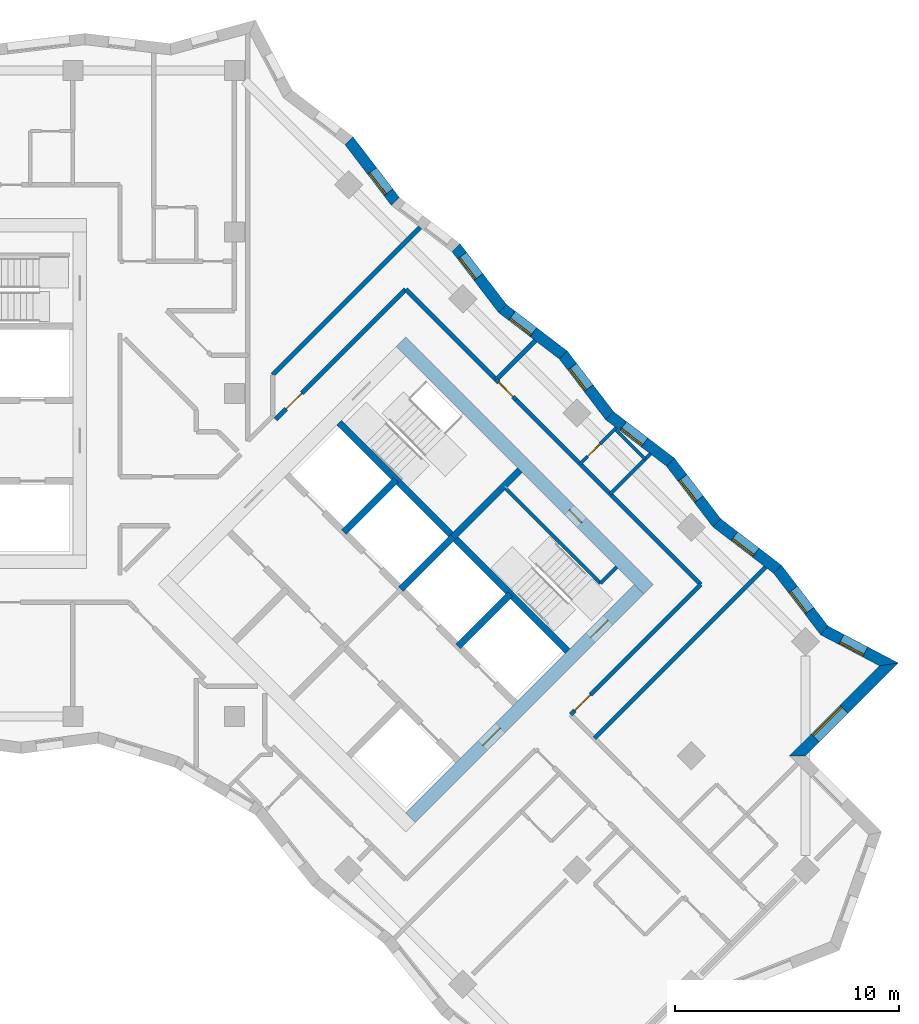
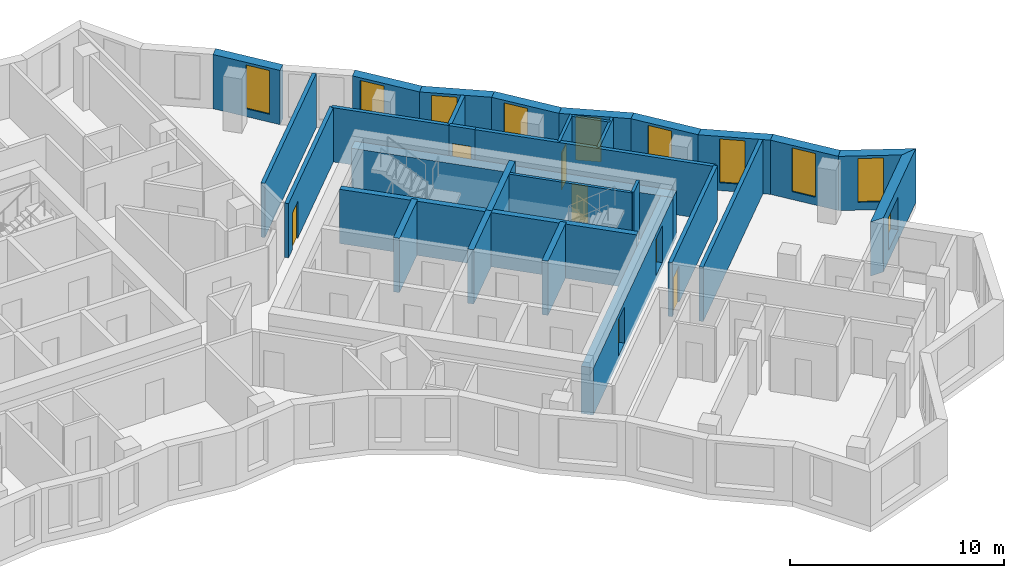
# One storey, part 9 of 12: 31 walls, 10 windows, 7 doors, 17 openings.
"""IFC4 building model written with IfcOpenShell, lengths in metres."""

import ifcopenshell
import ifcopenshell.guid

model = None  # the IFC model being written
_history = None  # IfcOwnerHistory: only IFC2X3 demands one
_inside = {}  # id of a spatial element -> (the spatial element, [elements in it])
_under = {}  # id of a project, library or spatial element -> (it, [spatial elements below it])
_declared = {}  # id of a project -> (the project, [libraries it declares])
_typed = {}  # id of a type object -> (the type object, [elements of that type])
_made_of = {}  # id of a material, layer set ... -> (it, [elements and type objects made of it])


def new_model(schema):
    """Start an empty IFC model of exactly this schema.

    Asked for "IFC4X3", IfcOpenShell would pick the latest addendum, in which some entities
    have other attributes; the version numbers below select the first issue.
    IFC2X3 requires an IfcOwnerHistory on every rooted entity: one is made here for all.
    """
    global model, _history
    if schema == "IFC4X3":
        model = ifcopenshell.file(schema_version=(4, 3, 0, 0))
    else:
        model = ifcopenshell.file(schema=schema)
    _inside.clear()
    _under.clear()
    _declared.clear()
    _typed.clear()
    _made_of.clear()
    _history = None
    if model.schema == "IFC2X3":
        org = make("IfcOrganization", Name="unknown")
        user = make(
            "IfcPersonAndOrganization",
            ThePerson=make("IfcPerson", FamilyName="unknown"),
            TheOrganization=org,
        )
        app = make(
            "IfcApplication",
            ApplicationDeveloper=org,
            Version="unknown",
            ApplicationFullName="unknown",
            ApplicationIdentifier="unknown",
        )
        _history = make(
            "IfcOwnerHistory",
            OwningUser=user,
            OwningApplication=app,
            ChangeAction="ADDED",
            CreationDate=0,
        )
    return model


def make(cls, **values):
    """One entity of the class cls with the attributes given. An attribute that is None is left unset."""
    return model.create_entity(
        cls, **{name: value for name, value in values.items() if value is not None}
    )


def rooted(cls, **values):
    """An entity with a GlobalId (a new one), such as an element, a storey or a relation."""
    return make(cls, GlobalId=ifcopenshell.guid.new(), OwnerHistory=_history, **values)


def si_unit(unit_type, name, prefix=None):
    """IfcSIUnit, for example si_unit("LENGTHUNIT", "METRE", prefix="MILLI")."""
    return make("IfcSIUnit", UnitType=unit_type, Prefix=prefix, Name=name)


def assignment(units):
    """IfcUnitAssignment: the units of a project."""
    return None if units is None else make("IfcUnitAssignment", Units=units)


def point(xyz):
    """IfcCartesianPoint."""
    return None if xyz is None else make("IfcCartesianPoint", Coordinates=xyz)


def direction(xyz):
    """IfcDirection."""
    return None if xyz is None else make("IfcDirection", DirectionRatios=xyz)


def frame(location, z_axis=None, x_axis=None):
    """IfcAxis2Placement3D, a coordinate frame: its origin and axes. An axis left out is left unset."""
    return make(
        "IfcAxis2Placement3D",
        Location=point(location),
        Axis=direction(z_axis),
        RefDirection=direction(x_axis),
    )


def frame_2d(location, x_axis=None):
    """IfcAxis2Placement2D, a coordinate frame in the plane: its origin and x axis."""
    return make(
        "IfcAxis2Placement2D", Location=point(location), RefDirection=direction(x_axis)
    )


def origin():
    """The frame at (0, 0, 0) with its axes left unset."""
    return frame((0.0, 0.0, 0.0))


def place(relative_to, where):
    """IfcLocalPlacement: puts the frame where relative to a parent placement (None: the world)."""
    return make(
        "IfcLocalPlacement", PlacementRelTo=relative_to, RelativePlacement=where
    )


def context(
    kind, dimensions, precision=None, world=None, true_north=None, identifier=None
):
    """IfcGeometricRepresentationContext, for example the 3D "Model" context."""
    return make(
        "IfcGeometricRepresentationContext",
        ContextIdentifier=identifier,
        ContextType=kind,
        CoordinateSpaceDimension=dimensions,
        Precision=precision,
        WorldCoordinateSystem=world,
        TrueNorth=true_north,
    )


def subcontext(parent, identifier, kind, view, scale=None):
    """IfcGeometricRepresentationSubContext, for example "Body" below "Model"."""
    return make(
        "IfcGeometricRepresentationSubContext",
        ContextIdentifier=identifier,
        ContextType=kind,
        ParentContext=parent,
        TargetScale=scale,
        TargetView=view,
    )


def project(units=None, contexts=None):
    """IfcProject with its units and contexts."""
    return rooted(
        "IfcProject",
        Name="project",
        RepresentationContexts=contexts,
        UnitsInContext=assignment(units),
    )


def spatial(cls, under=None, at=None, **own):
    """A site, building, storey or space (cls), placed at a placement, below another one or the project."""
    s = rooted(cls, ObjectPlacement=at, **own)
    if under is not None:
        _under.setdefault(under.id(), (under, []))[1].append(s)
    return s


def polyline(points):
    """IfcPolyline through the points."""
    return make("IfcPolyline", Points=[point(p) for p in points])


def profile(cls, at=None, kind="AREA", **sizes):
    """A parametric profile (cls). Its sizes go by their IFC names, for example OverallWidth=200.0."""
    return make(cls, ProfileType=kind, Position=at, **sizes)


def rectangle(**sizes):
    """IfcRectangleProfileDef."""
    return profile("IfcRectangleProfileDef", **sizes)


def outline(outer, holes=None, kind="AREA"):
    """IfcArbitraryClosedProfileDef: a profile drawn as a closed curve; with holes, ...WithVoids."""
    if holes is None:
        return make("IfcArbitraryClosedProfileDef", ProfileType=kind, OuterCurve=outer)
    return make(
        "IfcArbitraryProfileDefWithVoids",
        ProfileType=kind,
        OuterCurve=outer,
        InnerCurves=holes,
    )


def extrude(swept, where, along, depth):
    """IfcExtrudedAreaSolid: the profile swept, set in the frame where, extruded along a direction by depth."""
    return make(
        "IfcExtrudedAreaSolid",
        SweptArea=swept,
        Position=where,
        ExtrudedDirection=direction(along),
        Depth=depth,
    )


def shape(context_of_items, identifier, shape_type, items):
    """IfcShapeRepresentation: the items that make up one representation, for example the "Body"."""
    return make(
        "IfcShapeRepresentation",
        ContextOfItems=context_of_items,
        RepresentationIdentifier=identifier,
        RepresentationType=shape_type,
        Items=items,
    )


def material(Name=None, Category=None):
    """IfcMaterial."""
    return make("IfcMaterial", Name=Name, Category=Category)


def layer(
    of_material, thickness, ventilated=None, Name=None, Category=None, Priority=None
):
    """IfcMaterialLayer: one layer of a wall or slab, of a material (None: an air gap)."""
    return make(
        "IfcMaterialLayer",
        Material=of_material,
        LayerThickness=thickness,
        IsVentilated=ventilated,
        Name=Name,
        Category=Category,
        Priority=Priority,
    )


def layer_set(layers, Name=None):
    """IfcMaterialLayerSet."""
    return make("IfcMaterialLayerSet", MaterialLayers=layers, LayerSetName=Name)


def made_of(thing, what):
    """Note that an element or type object is made of a material, layer set ...; save() writes the relation."""
    if what is not None:
        _made_of.setdefault(what.id(), (what, []))[1].append(thing)
    return thing


def type_object(cls, material=None, **own):
    """A type object (cls), such as IfcWallType, which elements share."""
    return made_of(rooted(cls, **own), material)


def element(
    cls,
    number,
    at=None,
    inside=None,
    cuts=None,
    type_object=None,
    material=None,
    context=None,
    identifier="Body",
    shape_type=None,
    held_by="IfcProductDefinitionShape",
    body=None,
    shapes=None,
    **own,
):
    """One element of the class cls, such as IfcWall. Its Tag is "e" and its number.

    at: its placement. inside: the storey or other place that contains it. cuts: it is an
    opening in that element (IfcRelVoidsElement). A single representation is given by context,
    identifier, shape_type and body (its items); several are given by shapes. held_by: the class
    of the entity that holds the representations. save() writes the other relations.
    """
    e = rooted(cls, Tag="e%d" % number, ObjectPlacement=at, **own)
    if body is not None:
        shapes = [shape(context, identifier, shape_type, body)]
    if shapes is not None:
        e.Representation = make(held_by, Representations=shapes)
    if inside is not None:
        _inside.setdefault(inside.id(), (inside, []))[1].append(e)
    if cuts is not None:
        rooted(
            "IfcRelVoidsElement", RelatingBuildingElement=cuts, RelatedOpeningElement=e
        )
    if type_object is not None:
        _typed.setdefault(type_object.id(), (type_object, []))[1].append(e)
    return made_of(e, material)


def fill(opening, filler):
    """IfcRelFillsElement: the door or window that sits in an opening."""
    return rooted(
        "IfcRelFillsElement",
        RelatingOpeningElement=opening,
        RelatedBuildingElement=filler,
    )


def aggregate(whole, parts):
    """IfcRelAggregates: a whole, such as a stair, and the parts it consists of."""
    return rooted("IfcRelAggregates", RelatingObject=whole, RelatedObjects=parts)


def save(model, path):
    """Write the relations noted so far, then the file.

    IfcRelAggregates (storeys below a building ...), IfcRelContainedInSpatialStructure (elements
    in a storey), IfcRelDefinesByType, IfcRelAssociatesMaterial and IfcRelDeclares: one each for
    every whole, place, type object, material and project.
    """
    for whole, parts in _under.values():
        aggregate(whole, parts)
    for where, things in _inside.values():
        rooted(
            "IfcRelContainedInSpatialStructure",
            RelatedElements=things,
            RelatingStructure=where,
        )
    for kind, things in _typed.values():
        rooted("IfcRelDefinesByType", RelatedObjects=things, RelatingType=kind)
    for what, things in _made_of.values():
        rooted("IfcRelAssociatesMaterial", RelatedObjects=things, RelatingMaterial=what)
    for by, libraries in _declared.values():
        rooted("IfcRelDeclares", RelatingContext=by, RelatedDefinitions=libraries)
    model.write(path)


model = new_model("IFC4")

# Units and contexts
model_context = context("Model", 3, precision=1e-05, world=origin(), true_north=direction((0.0, 1.0)))
body_context = subcontext(model_context, "Body", "Model", "MODEL_VIEW")
ifc_project = project(units=[si_unit("LENGTHUNIT", "METRE"), si_unit("AREAUNIT", "SQUARE_METRE"), si_unit("VOLUMEUNIT", "CUBIC_METRE"), si_unit("PLANEANGLEUNIT", "RADIAN"), si_unit("MASSUNIT", "GRAM", prefix="KILO")], contexts=[model_context])

# Site, building, storey
site_placement = place(None, origin())
site = spatial("IfcSite", under=ifc_project, at=site_placement, CompositionType="ELEMENT")
building_placement = place(site_placement, origin())
building = spatial("IfcBuilding", under=site, at=building_placement, Name="Windrow Commons", CompositionType="ELEMENT")
storey_placement = place(building_placement, frame((0.0, 0.0, 152.4)))
storey = spatial("IfcBuildingStorey", under=building, at=storey_placement, Name="L41", CompositionType="ELEMENT", Elevation=152.4)

# Wall, opening, window
ifc_material_1 = material(Name="Brick masonry, red clay brick", Category="masonry")
ifc_layer_1 = layer(ifc_material_1, 0.5)
ifc_layer_set_1 = layer_set([ifc_layer_1], Name="Brick facade wall 500")
wall_type_1 = type_object("IfcWallType", Name="Brick facade wall 500", PredefinedType="SOLIDWALL", material=ifc_layer_set_1)
wall_1_placement = place(storey_placement, frame((104.3022, 41.453, 0.0), z_axis=(0.0, 0.0, 1.0), x_axis=(0.7071241375, 0.7070894244, 0.0)))
wall_1 = element("IfcWall", 1, at=wall_1_placement, inside=storey, type_object=wall_type_1, Name="Brick facade wall L41 6", PredefinedType="SOLIDWALL", context=body_context, shape_type="SweptSolid", body=[
    extrude(outline(polyline([(0.25, -0.25), (6.1011, -0.25), (5.4218, 0.25), (-0.25, 0.25), (0.25, -0.25)])), origin(), (0.0, 0.0, 1.0), 3.1),
])
opening_1_placement = place(wall_1_placement, frame((1.125, 0.0, 0.6)))
opening_1 = element("IfcOpeningElement", 2, at=opening_1_placement, cuts=wall_1, Name="Opening W1L", PredefinedType="OPENING", context=body_context, shape_type="SweptSolid", body=[
    extrude(rectangle(XDim=1.8, YDim=1.9, at=frame_2d((0.9, 0.95))), frame((0.0, 0.26, 0.0), z_axis=(0.0, -1.0, 0.0), x_axis=(1.0, 0.0, 0.0)), (0.0, 0.0, 1.0), 0.52),
])
ifc_material_2 = material(Name="Clear float glass in anodised aluminium frame", Category="aluminium")
window_type_1 = type_object("IfcWindowType", Name="Window W1L bedroom 1800x1900", PartitioningType="SINGLE_PANEL", PredefinedType="WINDOW", material=ifc_material_2)
window_1_placement = place(opening_1_placement, origin())
window_1 = element("IfcWindow", 3, at=window_1_placement, inside=storey, type_object=window_type_1, Name="Window L41 6.1", OverallHeight=1.9, OverallWidth=1.8, PartitioningType="SINGLE_PANEL", PredefinedType="WINDOW", context=body_context, shape_type="SweptSolid", body=[
    extrude(rectangle(XDim=1.8, YDim=1.9, at=frame_2d((0.9, 0.95))), frame((0.0, 0.18, 0.0), z_axis=(0.0, -1.0, 0.0), x_axis=(1.0, 0.0, 0.0)), (0.0, 0.0, 1.0), 0.06),
])
fill(opening_1, window_1)

wall_2_placement = place(storey_placement, frame((108.3763, 45.5269, 0.0), z_axis=(0.0, 0.0, 1.0), x_axis=(-0.8852707198, 0.4650760719, 0.0)))
wall_2 = element("IfcWall", 4, at=wall_2_placement, inside=storey, type_object=wall_type_1, Name="Brick facade wall L41 7", PredefinedType="SOLIDWALL", context=body_context, shape_type="SweptSolid", body=[
    extrude(outline(polyline([(-0.3396, -0.25), (3.1978, -0.25), (3.3082, 0.25), (0.3396, 0.25), (-0.3396, -0.25)])), origin(), (0.0, 0.0, 1.0), 3.1),
])
opening_2_placement = place(wall_2_placement, frame((1.1963, 0.0, 0.45)))
opening_2 = element("IfcOpeningElement", 5, at=opening_2_placement, cuts=wall_2, Name="Opening W7E", PredefinedType="OPENING", context=body_context, shape_type="SweptSolid", body=[
    extrude(rectangle(XDim=1.2, YDim=2.5, at=frame_2d((0.6, 1.25))), frame((0.0, 0.26, 0.0), z_axis=(0.0, -1.0, 0.0), x_axis=(1.0, 0.0, 0.0)), (0.0, 0.0, 1.0), 0.52),
])
ifc_material_3 = material(Name="Clear float glass in anodised aluminium frame", Category="aluminium")
window_type_2 = type_object("IfcWindowType", Name="Window W7 notch 1200x2500", PartitioningType="SINGLE_PANEL", PredefinedType="WINDOW", material=ifc_material_3)
window_2_placement = place(opening_2_placement, origin())
window_2 = element("IfcWindow", 6, at=window_2_placement, inside=storey, type_object=window_type_2, Name="Window L41 7.1", OverallHeight=2.5, OverallWidth=1.2, PartitioningType="SINGLE_PANEL", PredefinedType="WINDOW", context=body_context, shape_type="SweptSolid", body=[
    extrude(rectangle(XDim=1.2, YDim=2.5, at=frame_2d((0.6, 1.25))), frame((0.0, 0.18, 0.0), z_axis=(0.0, -1.0, 0.0), x_axis=(1.0, 0.0, 0.0)), (0.0, 0.0, 1.0), 0.06),
])
fill(opening_2, window_2)

wall_3_placement = place(storey_placement, frame((105.4965, 47.0398, 0.0), z_axis=(0.0, 0.0, 1.0), x_axis=(-0.6072996528, 0.7944728641, 0.0)))
wall_3 = element("IfcWall", 7, at=wall_3_placement, inside=storey, type_object=wall_type_1, Name="Brick facade wall L41 8", PredefinedType="SOLIDWALL", context=body_context, shape_type="SweptSolid", body=[
    extrude(outline(polyline([(0.0552, -0.25), (3.4628, -0.25), (3.3961, 0.25), (-0.0552, 0.25), (0.0552, -0.25)])), origin(), (0.0, 0.0, 1.0), 3.1),
])
opening_3_placement = place(wall_3_placement, frame((1.098, 0.0, 0.45)))
opening_3 = element("IfcOpeningElement", 8, at=opening_3_placement, cuts=wall_3, Name="Opening W7E", PredefinedType="OPENING", context=body_context, shape_type="SweptSolid", body=[
    extrude(rectangle(XDim=1.2, YDim=2.5, at=frame_2d((0.6, 1.25))), frame((0.0, 0.26, 0.0), z_axis=(0.0, -1.0, 0.0), x_axis=(1.0, 0.0, 0.0)), (0.0, 0.0, 1.0), 0.52),
])
window_3_placement = place(opening_3_placement, origin())
window_3 = element("IfcWindow", 9, at=window_3_placement, inside=storey, type_object=window_type_2, Name="Window L41 8.1", OverallHeight=2.5, OverallWidth=1.2, PartitioningType="SINGLE_PANEL", PredefinedType="WINDOW", context=body_context, shape_type="SweptSolid", body=[
    extrude(rectangle(XDim=1.2, YDim=2.5, at=frame_2d((0.6, 1.25))), frame((0.0, 0.18, 0.0), z_axis=(0.0, -1.0, 0.0), x_axis=(1.0, 0.0, 0.0)), (0.0, 0.0, 1.0), 0.06),
])
fill(opening_3, window_3)

wall_4_placement = place(storey_placement, frame((103.4138, 49.7644, 0.0), z_axis=(0.0, 0.0, 1.0), x_axis=(-0.7944694348, 0.6073041389, 0.0)))
wall_4 = element("IfcWall", 10, at=wall_4_placement, inside=storey, type_object=wall_type_1, Name="Brick facade wall L41 9", PredefinedType="SOLIDWALL", context=body_context, shape_type="SweptSolid", body=[
    extrude(outline(polyline([(-0.0334, -0.25), (3.3743, -0.25), (3.4411, 0.25), (0.0334, 0.25), (-0.0334, -0.25)])), origin(), (0.0, 0.0, 1.0), 3.1),
])
opening_4_placement = place(wall_4_placement, frame((1.2281, 0.0, 0.45)))
opening_4 = element("IfcOpeningElement", 11, at=opening_4_placement, cuts=wall_4, Name="Opening W7E", PredefinedType="OPENING", context=body_context, shape_type="SweptSolid", body=[
    extrude(rectangle(XDim=1.2, YDim=2.5, at=frame_2d((0.6, 1.25))), frame((0.0, 0.26, 0.0), z_axis=(0.0, -1.0, 0.0), x_axis=(1.0, 0.0, 0.0)), (0.0, 0.0, 1.0), 0.52),
])
window_4_placement = place(opening_4_placement, origin())
window_4 = element("IfcWindow", 12, at=window_4_placement, inside=storey, type_object=window_type_2, Name="Window L41 9.1", OverallHeight=2.5, OverallWidth=1.2, PartitioningType="SINGLE_PANEL", PredefinedType="WINDOW", context=body_context, shape_type="SweptSolid", body=[
    extrude(rectangle(XDim=1.2, YDim=2.5, at=frame_2d((0.6, 1.25))), frame((0.0, 0.18, 0.0), z_axis=(0.0, -1.0, 0.0), x_axis=(1.0, 0.0, 0.0)), (0.0, 0.0, 1.0), 0.06),
])
fill(opening_4, window_4)

wall_5_placement = place(storey_placement, frame((100.7065, 51.8339, 0.0), z_axis=(0.0, 0.0, 1.0), x_axis=(-0.6073041389, 0.7944694348, 0.0)))
wall_5 = element("IfcWall", 13, at=wall_5_placement, inside=storey, type_object=wall_type_1, Name="Brick facade wall L41 10", PredefinedType="SOLIDWALL", context=body_context, shape_type="SweptSolid", body=[
    extrude(outline(polyline([(0.0334, -0.25), (3.4411, -0.25), (3.3743, 0.25), (-0.0334, 0.25), (0.0334, -0.25)])), origin(), (0.0, 0.0, 1.0), 3.1),
])
opening_5_placement = place(wall_5_placement, frame((1.3236, 0.0, 0.45)))
opening_5 = element("IfcOpeningElement", 14, at=opening_5_placement, cuts=wall_5, Name="Opening W7E", PredefinedType="OPENING", context=body_context, shape_type="SweptSolid", body=[
    extrude(rectangle(XDim=1.2, YDim=2.5, at=frame_2d((0.6, 1.25))), frame((0.0, 0.26, 0.0), z_axis=(0.0, -1.0, 0.0), x_axis=(1.0, 0.0, 0.0)), (0.0, 0.0, 1.0), 0.52),
])
window_5_placement = place(opening_5_placement, origin())
window_5 = element("IfcWindow", 15, at=window_5_placement, inside=storey, type_object=window_type_2, Name="Window L41 10.1", OverallHeight=2.5, OverallWidth=1.2, PartitioningType="SINGLE_PANEL", PredefinedType="WINDOW", context=body_context, shape_type="SweptSolid", body=[
    extrude(rectangle(XDim=1.2, YDim=2.5, at=frame_2d((0.6, 1.25))), frame((0.0, 0.18, 0.0), z_axis=(0.0, -1.0, 0.0), x_axis=(1.0, 0.0, 0.0)), (0.0, 0.0, 1.0), 0.06),
])
fill(opening_5, window_5)

wall_6_placement = place(storey_placement, frame((98.637, 54.5412, 0.0), z_axis=(0.0, 0.0, 1.0), x_axis=(-0.7944694348, 0.6073041389, 0.0)))
wall_6 = element("IfcWall", 16, at=wall_6_placement, inside=storey, type_object=wall_type_1, Name="Brick facade wall L41 11", PredefinedType="SOLIDWALL", context=body_context, shape_type="SweptSolid", body=[
    extrude(outline(polyline([(-0.0334, -0.25), (3.3743, -0.25), (3.4411, 0.25), (0.0334, 0.25), (-0.0334, -0.25)])), origin(), (0.0, 0.0, 1.0), 3.1),
])
opening_6_placement = place(wall_6_placement, frame((1.4524, 0.0, 0.45)))
opening_6 = element("IfcOpeningElement", 17, at=opening_6_placement, cuts=wall_6, Name="Opening W7E", PredefinedType="OPENING", context=body_context, shape_type="SweptSolid", body=[
    extrude(rectangle(XDim=1.2, YDim=2.5, at=frame_2d((0.6, 1.25))), frame((0.0, 0.26, 0.0), z_axis=(0.0, -1.0, 0.0), x_axis=(1.0, 0.0, 0.0)), (0.0, 0.0, 1.0), 0.52),
])
window_6_placement = place(opening_6_placement, origin())
window_6 = element("IfcWindow", 18, at=window_6_placement, inside=storey, type_object=window_type_2, Name="Window L41 11.1", OverallHeight=2.5, OverallWidth=1.2, PartitioningType="SINGLE_PANEL", PredefinedType="WINDOW", context=body_context, shape_type="SweptSolid", body=[
    extrude(rectangle(XDim=1.2, YDim=2.5, at=frame_2d((0.6, 1.25))), frame((0.0, 0.18, 0.0), z_axis=(0.0, -1.0, 0.0), x_axis=(1.0, 0.0, 0.0)), (0.0, 0.0, 1.0), 0.06),
])
fill(opening_6, window_6)

wall_7_placement = place(storey_placement, frame((95.9297, 56.6107, 0.0), z_axis=(0.0, 0.0, 1.0), x_axis=(-0.6073041389, 0.7944694348, 0.0)))
wall_7 = element("IfcWall", 19, at=wall_7_placement, inside=storey, type_object=wall_type_1, Name="Brick facade wall L41 12", PredefinedType="SOLIDWALL", context=body_context, shape_type="SweptSolid", body=[
    extrude(outline(polyline([(0.0334, -0.25), (3.4411, -0.25), (3.3743, 0.25), (-0.0334, 0.25), (0.0334, -0.25)])), origin(), (0.0, 0.0, 1.0), 3.1),
])
opening_7_placement = place(wall_7_placement, frame((1.5479, 0.0, 0.45)))
opening_7 = element("IfcOpeningElement", 20, at=opening_7_placement, cuts=wall_7, Name="Opening W7E", PredefinedType="OPENING", context=body_context, shape_type="SweptSolid", body=[
    extrude(rectangle(XDim=1.2, YDim=2.5, at=frame_2d((0.6, 1.25))), frame((0.0, 0.26, 0.0), z_axis=(0.0, -1.0, 0.0), x_axis=(1.0, 0.0, 0.0)), (0.0, 0.0, 1.0), 0.52),
])
window_7_placement = place(opening_7_placement, origin())
window_7 = element("IfcWindow", 21, at=window_7_placement, inside=storey, type_object=window_type_2, Name="Window L41 12.1", OverallHeight=2.5, OverallWidth=1.2, PartitioningType="SINGLE_PANEL", PredefinedType="WINDOW", context=body_context, shape_type="SweptSolid", body=[
    extrude(rectangle(XDim=1.2, YDim=2.5, at=frame_2d((0.6, 1.25))), frame((0.0, 0.18, 0.0), z_axis=(0.0, -1.0, 0.0), x_axis=(1.0, 0.0, 0.0)), (0.0, 0.0, 1.0), 0.06),
])
fill(opening_7, window_7)

wall_8_placement = place(storey_placement, frame((93.8602, 59.318, 0.0), z_axis=(0.0, 0.0, 1.0), x_axis=(-0.7944694348, 0.6073041389, 0.0)))
wall_8 = element("IfcWall", 22, at=wall_8_placement, inside=storey, type_object=wall_type_1, Name="Brick facade wall L41 13", PredefinedType="SOLIDWALL", context=body_context, shape_type="SweptSolid", body=[
    extrude(outline(polyline([(-0.0334, -0.25), (3.3743, -0.25), (3.4411, 0.25), (0.0334, 0.25), (-0.0334, -0.25)])), origin(), (0.0, 0.0, 1.0), 3.1),
])
opening_8_placement = place(wall_8_placement, frame((1.6767, 0.0, 0.45)))
opening_8 = element("IfcOpeningElement", 23, at=opening_8_placement, cuts=wall_8, Name="Opening W7E", PredefinedType="OPENING", context=body_context, shape_type="SweptSolid", body=[
    extrude(rectangle(XDim=1.2, YDim=2.5, at=frame_2d((0.6, 1.25))), frame((0.0, 0.26, 0.0), z_axis=(0.0, -1.0, 0.0), x_axis=(1.0, 0.0, 0.0)), (0.0, 0.0, 1.0), 0.52),
])
window_8_placement = place(opening_8_placement, origin())
window_8 = element("IfcWindow", 24, at=window_8_placement, inside=storey, type_object=window_type_2, Name="Window L41 13.1", OverallHeight=2.5, OverallWidth=1.2, PartitioningType="SINGLE_PANEL", PredefinedType="WINDOW", context=body_context, shape_type="SweptSolid", body=[
    extrude(rectangle(XDim=1.2, YDim=2.5, at=frame_2d((0.6, 1.25))), frame((0.0, 0.18, 0.0), z_axis=(0.0, -1.0, 0.0), x_axis=(1.0, 0.0, 0.0)), (0.0, 0.0, 1.0), 0.06),
])
fill(opening_8, window_8)

wall_9_placement = place(storey_placement, frame((91.1529, 61.3875, 0.0), z_axis=(0.0, 0.0, 1.0), x_axis=(-0.6073041389, 0.7944694348, 0.0)))
wall_9 = element("IfcWall", 25, at=wall_9_placement, inside=storey, type_object=wall_type_1, Name="Brick facade wall L41 14", PredefinedType="SOLIDWALL", context=body_context, shape_type="SweptSolid", body=[
    extrude(outline(polyline([(0.0334, -0.25), (3.4411, -0.25), (3.3743, 0.25), (-0.0334, 0.25), (0.0334, -0.25)])), origin(), (0.0, 0.0, 1.0), 3.1),
])
opening_9_placement = place(wall_9_placement, frame((1.7721, 0.0, 0.45)))
opening_9 = element("IfcOpeningElement", 26, at=opening_9_placement, cuts=wall_9, Name="Opening W7E", PredefinedType="OPENING", context=body_context, shape_type="SweptSolid", body=[
    extrude(rectangle(XDim=1.2, YDim=2.5, at=frame_2d((0.6, 1.25))), frame((0.0, 0.26, 0.0), z_axis=(0.0, -1.0, 0.0), x_axis=(1.0, 0.0, 0.0)), (0.0, 0.0, 1.0), 0.52),
])
window_9_placement = place(opening_9_placement, origin())
window_9 = element("IfcWindow", 27, at=window_9_placement, inside=storey, type_object=window_type_2, Name="Window L41 14.1", OverallHeight=2.5, OverallWidth=1.2, PartitioningType="SINGLE_PANEL", PredefinedType="WINDOW", context=body_context, shape_type="SweptSolid", body=[
    extrude(rectangle(XDim=1.2, YDim=2.5, at=frame_2d((0.6, 1.25))), frame((0.0, 0.18, 0.0), z_axis=(0.0, -1.0, 0.0), x_axis=(1.0, 0.0, 0.0)), (0.0, 0.0, 1.0), 0.06),
])
fill(opening_9, window_9)

wall_10_placement = place(storey_placement, frame((86.3761, 66.1643, 0.0), z_axis=(0.0, 0.0, 1.0), x_axis=(-0.6073041389, 0.7944694348, 0.0)))
wall_10 = element("IfcWall", 28, at=wall_10_placement, inside=storey, type_object=wall_type_1, Name="Brick facade wall L41 16", PredefinedType="SOLIDWALL", context=body_context, shape_type="SweptSolid", body=[
    extrude(outline(polyline([(0.0334, -0.25), (3.4411, -0.25), (3.3743, 0.25), (-0.0334, 0.25), (0.0334, -0.25)])), origin(), (0.0, 0.0, 1.0), 3.1),
])
opening_10_placement = place(wall_10_placement, frame((0.5092, 0.0, 0.45)))
opening_10 = element("IfcOpeningElement", 29, at=opening_10_placement, cuts=wall_10, Name="Opening W7E", PredefinedType="OPENING", context=body_context, shape_type="SweptSolid", body=[
    extrude(rectangle(XDim=1.2, YDim=2.5, at=frame_2d((0.6, 1.25))), frame((0.0, 0.26, 0.0), z_axis=(0.0, -1.0, 0.0), x_axis=(1.0, 0.0, 0.0)), (0.0, 0.0, 1.0), 0.52),
])
window_10_placement = place(opening_10_placement, origin())
window_10 = element("IfcWindow", 30, at=window_10_placement, inside=storey, type_object=window_type_2, Name="Window L41 16.1", OverallHeight=2.5, OverallWidth=1.2, PartitioningType="SINGLE_PANEL", PredefinedType="WINDOW", context=body_context, shape_type="SweptSolid", body=[
    extrude(rectangle(XDim=1.2, YDim=2.5, at=frame_2d((0.6, 1.25))), frame((0.0, 0.18, 0.0), z_axis=(0.0, -1.0, 0.0), x_axis=(1.0, 0.0, 0.0)), (0.0, 0.0, 1.0), 0.06),
])
fill(opening_10, window_10)

# Wall
ifc_material_4 = material(Name="Blockwork partition", Category="masonry")
ifc_layer_2 = layer(ifc_material_4, 0.2)
ifc_layer_set_2 = layer_set([ifc_layer_2], Name="IW-CORRIDOR-200")
wall_type_2 = type_object("IfcWallType", Name="IW-CORRIDOR-200", PredefinedType="PARTITIONING", material=ifc_layer_set_2)
wall_11_placement = place(storey_placement, frame((91.7551, 57.3171, 0.0), z_axis=(0.0, 0.0, 1.0), x_axis=(0.7071067812, -0.7071067812, 0.0)))
element("IfcWall", 31, at=wall_11_placement, inside=storey, type_object=wall_type_2, Name="W-L41-W006", PredefinedType="PARTITIONING", context=body_context, shape_type="SweptSolid", body=[
    extrude(rectangle(XDim=11.639, YDim=0.2, at=frame_2d((5.8195, 0.0))), origin(), (0.0, 0.0, 1.0), 3.1),
])

# Wall, opening, door
wall_12_placement = place(storey_placement, frame((94.1898, 43.2922, 0.0), z_axis=(0.0, 0.0, 1.0), x_axis=(0.7071067812, 0.7071067812, 0.0)))
wall_12 = element("IfcWall", 32, at=wall_12_placement, inside=storey, type_object=wall_type_2, Name="W-L41-W011", PredefinedType="PARTITIONING", context=body_context, shape_type="SweptSolid", body=[
    extrude(rectangle(XDim=8.1996, YDim=0.2, at=frame_2d((4.0998, 0.0))), origin(), (0.0, 0.0, 1.0), 3.1),
])
opening_11_placement = place(wall_12_placement, frame((0.2506, 0.0, 0.0)))
opening_11 = element("IfcOpeningElement", 33, at=opening_11_placement, cuts=wall_12, Name="Opening D310F", PredefinedType="OPENING", context=body_context, shape_type="SweptSolid", body=[
    extrude(rectangle(XDim=1.0, YDim=2.1, at=frame_2d((0.5, 1.05))), frame((0.0, 0.11, 0.0), z_axis=(0.0, -1.0, 0.0), x_axis=(1.0, 0.0, 0.0)), (0.0, 0.0, 1.0), 0.22),
])
ifc_material_5 = material(Name="Timber door leaf", Category="wood")
door_type_1 = type_object("IfcDoorType", Name="DT-AMENITY-1000", OperationType="SINGLE_SWING_LEFT", PredefinedType="DOOR", material=ifc_material_5)
door_1_placement = place(opening_11_placement, origin())
door_1 = element("IfcDoor", 34, at=door_1_placement, inside=storey, type_object=door_type_1, Name="D-L41-D041", OperationType="SINGLE_SWING_RIGHT", OverallHeight=2.1, OverallWidth=1.0, PredefinedType="DOOR", context=body_context, shape_type="SweptSolid", body=[
    extrude(rectangle(XDim=1.0, YDim=2.1, at=frame_2d((0.5, 1.05))), frame((0.0, 0.025, 0.0), z_axis=(0.0, -1.0, 0.0), x_axis=(1.0, 0.0, 0.0)), (0.0, 0.0, 1.0), 0.05),
])
fill(opening_11, door_1)

wall_13_placement = place(storey_placement, frame((81.0376, 56.4444, 0.0), z_axis=(0.0, 0.0, 1.0), x_axis=(0.7071067812, 0.7071067812, 0.0)))
wall_13 = element("IfcWall", 35, at=wall_13_placement, inside=storey, type_object=wall_type_2, Name="W-L41-W012", PredefinedType="PARTITIONING", context=body_context, shape_type="SweptSolid", body=[
    extrude(rectangle(XDim=8.1996, YDim=0.2, at=frame_2d((4.0998, 0.0))), origin(), (0.0, 0.0, 1.0), 3.1),
])
opening_12_placement = place(wall_13_placement, frame((0.6596, 0.0, 0.0)))
opening_12 = element("IfcOpeningElement", 36, at=opening_12_placement, cuts=wall_13, Name="Opening D310F", PredefinedType="OPENING", context=body_context, shape_type="SweptSolid", body=[
    extrude(rectangle(XDim=1.0, YDim=2.1, at=frame_2d((0.5, 1.05))), frame((0.0, 0.11, 0.0), z_axis=(0.0, -1.0, 0.0), x_axis=(1.0, 0.0, 0.0)), (0.0, 0.0, 1.0), 0.22),
])
door_2_placement = place(opening_12_placement, origin())
door_2 = element("IfcDoor", 37, at=door_2_placement, inside=storey, type_object=door_type_1, Name="D-L41-D040", OperationType="SINGLE_SWING_RIGHT", OverallHeight=2.1, OverallWidth=1.0, PredefinedType="DOOR", context=body_context, shape_type="SweptSolid", body=[
    extrude(rectangle(XDim=1.0, YDim=2.1, at=frame_2d((0.5, 1.05))), frame((0.0, 0.025, 0.0), z_axis=(0.0, -1.0, 0.0), x_axis=(1.0, 0.0, 0.0)), (0.0, 0.0, 1.0), 0.05),
])
fill(opening_12, door_2)

# Wall
wall_14_placement = place(storey_placement, frame((86.8412, 62.2452, 0.0), z_axis=(0.0, 0.0, 1.0), x_axis=(0.7071067812, -0.7071067812, 0.0)))
element("IfcWall", 38, at=wall_14_placement, inside=storey, type_object=wall_type_2, Name="W-L41-W034", PredefinedType="PARTITIONING", context=body_context, shape_type="SweptSolid", body=[
    extrude(rectangle(XDim=5.6993, YDim=0.2, at=frame_2d((2.8497, 0.0))), origin(), (0.0, 0.0, 1.0), 3.1),
])

# Wall, opening, door
wall_15_placement = place(storey_placement, frame((90.8671, 58.2111, 0.0), z_axis=(0.0, 0.0, 1.0), x_axis=(0.706312726, -0.7078999456, 0.0)))
wall_15 = element("IfcWall", 39, at=wall_15_placement, inside=storey, type_object=wall_type_2, Name="W-L41-W148", PredefinedType="PARTITIONING", context=body_context, shape_type="SweptSolid", body=[
    extrude(rectangle(XDim=1.2601, YDim=0.2, at=frame_2d((0.63, 0.0))), origin(), (0.0, 0.0, 1.0), 3.1),
])
opening_13_placement = place(wall_15_placement, frame((0.1624, 0.0, 0.0)))
opening_13 = element("IfcOpeningElement", 40, at=opening_13_placement, cuts=wall_15, Name="Opening D109S", PredefinedType="OPENING", context=body_context, shape_type="SweptSolid", body=[
    extrude(rectangle(XDim=0.9, YDim=2.1, at=frame_2d((0.45, 1.05))), frame((0.0, 0.11, 0.0), z_axis=(0.0, -1.0, 0.0), x_axis=(1.0, 0.0, 0.0)), (0.0, 0.0, 1.0), 0.22),
])
ifc_material_6 = material(Name="Timber door leaf", Category="wood")
door_type_2 = type_object("IfcDoorType", Name="DT-BEDROOM-900", OperationType="SINGLE_SWING_LEFT", PredefinedType="DOOR", material=ifc_material_6)
door_3_placement = place(opening_13_placement, origin())
door_3 = element("IfcDoor", 41, at=door_3_placement, inside=storey, type_object=door_type_2, Name="D-L41-D044", OperationType="SINGLE_SWING_RIGHT", OverallHeight=2.1, OverallWidth=0.9, PredefinedType="DOOR", context=body_context, shape_type="SweptSolid", body=[
    extrude(rectangle(XDim=0.9, YDim=2.1, at=frame_2d((0.45, 1.05))), frame((0.0, 0.025, 0.0), z_axis=(0.0, -1.0, 0.0), x_axis=(1.0, 0.0, 0.0)), (0.0, 0.0, 1.0), 0.05),
])
fill(opening_13, door_3)

# Wall
ifc_material_7 = material(Name="Blockwork partition", Category="masonry")
ifc_layer_3 = layer(ifc_material_7, 0.15)
ifc_layer_set_3 = layer_set([ifc_layer_3], Name="IW-ENSUITE-150")
wall_type_3 = type_object("IfcWallType", Name="IW-ENSUITE-150", PredefinedType="PARTITIONING", material=ifc_layer_set_3)
wall_16_placement = place(storey_placement, frame((95.9573, 53.1207, 0.0), z_axis=(0.0, 0.0, 1.0), x_axis=(0.7071067812, 0.7071067812, 0.0)))
element("IfcWall", 42, at=wall_16_placement, inside=storey, type_object=wall_type_3, Name="W-L41-W064", PredefinedType="PARTITIONING", context=body_context, shape_type="SweptSolid", body=[
    extrude(rectangle(XDim=2.5282, YDim=0.15, at=frame_2d((1.2641, 0.0))), origin(), (0.0, 0.0, 1.0), 3.1),
])

# Wall, opening, door
wall_17_placement = place(storey_placement, frame((94.6138, 54.4642, 0.0), z_axis=(0.0, 0.0, 1.0), x_axis=(0.7071067812, 0.7071067812, 0.0)))
wall_17 = element("IfcWall", 43, at=wall_17_placement, inside=storey, type_object=wall_type_3, Name="W-L41-W106", PredefinedType="PARTITIONING", context=body_context, shape_type="SweptSolid", body=[
    extrude(rectangle(XDim=2.2745, YDim=0.15, at=frame_2d((1.1373, 0.0))), origin(), (0.0, 0.0, 1.0), 3.1),
])
opening_14_placement = place(wall_17_placement, frame((0.4662, 0.0, 0.0)))
opening_14 = element("IfcOpeningElement", 44, at=opening_14_placement, cuts=wall_17, Name="Opening D208N", PredefinedType="OPENING", context=body_context, shape_type="SweptSolid", body=[
    extrude(rectangle(XDim=0.8, YDim=2.1, at=frame_2d((0.4, 1.05))), frame((0.0, 0.085, 0.0), z_axis=(0.0, -1.0, 0.0), x_axis=(1.0, 0.0, 0.0)), (0.0, 0.0, 1.0), 0.17),
])
ifc_material_8 = material(Name="Timber door leaf", Category="wood")
door_type_3 = type_object("IfcDoorType", Name="DT-ENSUITE-800", OperationType="SINGLE_SWING_LEFT", PredefinedType="DOOR", material=ifc_material_8)
door_4_placement = place(opening_14_placement, origin())
door_4 = element("IfcDoor", 45, at=door_4_placement, inside=storey, type_object=door_type_3, Name="D-L41-D045", OperationType="SINGLE_SWING_RIGHT", OverallHeight=2.1, OverallWidth=0.8, PredefinedType="DOOR", context=body_context, shape_type="SweptSolid", body=[
    extrude(rectangle(XDim=0.8, YDim=2.1, at=frame_2d((0.4, 1.05))), frame((0.0, 0.025, 0.0), z_axis=(0.0, -1.0, 0.0), x_axis=(1.0, 0.0, 0.0)), (0.0, 0.0, 1.0), 0.05),
])
fill(opening_14, door_4)

# Walls
wall_18_placement = place(storey_placement, frame((96.2028, 55.9808, 0.0), z_axis=(0.0, 0.0, 1.0), x_axis=(0.7071067812, -0.7071067812, 0.0)))
element("IfcWall", 46, at=wall_18_placement, inside=storey, type_object=wall_type_3, Name="W-L41-W136", PredefinedType="PARTITIONING", context=body_context, shape_type="SweptSolid", body=[
    extrude(rectangle(XDim=1.8498, YDim=0.15, at=frame_2d((0.9249, 0.0))), origin(), (0.0, 0.0, 1.0), 3.1),
])
ifc_material_9 = material(Name="Blockwork partition", Category="masonry")
ifc_layer_4 = layer(ifc_material_9, 0.2)
ifc_layer_set_4 = layer_set([ifc_layer_4], Name="IW-PARTY-200")
wall_type_4 = type_object("IfcWallType", Name="IW-PARTY-200", PredefinedType="PARTITIONING", material=ifc_layer_set_4)
wall_19_placement = place(storey_placement, frame((95.2504, 42.2316, 0.0), z_axis=(0.0, 0.0, 1.0), x_axis=(0.7071114163, 0.707102146, 0.0)))
element("IfcWall", 47, at=wall_19_placement, inside=storey, type_object=wall_type_4, Name="W-L41-W007", PredefinedType="PARTITIONING", context=body_context, shape_type="SweptSolid", body=[
    extrude(rectangle(XDim=10.7871, YDim=0.2, at=frame_2d((5.3936, 0.0))), origin(), (0.0, 0.0, 1.0), 3.1),
])
wall_20_placement = place(storey_placement, frame((80.8989, 58.4271, 0.0), z_axis=(0.0, 0.0, 1.0), x_axis=(0.7071121545, 0.7071014078, 0.0)))
element("IfcWall", 48, at=wall_20_placement, inside=storey, type_object=wall_type_4, Name="W-L41-W009", PredefinedType="PARTITIONING", context=body_context, shape_type="SweptSolid", body=[
    extrude(rectangle(XDim=9.3052, YDim=0.2, at=frame_2d((4.6526, 0.0))), origin(), (0.0, 0.0, 1.0), 3.1),
])
wall_21_placement = place(storey_placement, frame((90.8669, 58.2131, 0.0), z_axis=(0.0, 0.0, 1.0), x_axis=(0.7066202121, 0.7075930157, 0.0)))
element("IfcWall", 49, at=wall_21_placement, inside=storey, type_object=wall_type_4, Name="W-L41-W065", PredefinedType="PARTITIONING", context=body_context, shape_type="SweptSolid", body=[
    extrude(rectangle(XDim=2.4671, YDim=0.2, at=frame_2d((1.2335, 0.0))), origin(), (0.0, 0.0, 1.0), 3.1),
])

# Wall, opening, door
ifc_material_10 = material(Name="Concrete C50/60", Category="concrete")
ifc_layer_5 = layer(ifc_material_10, 0.6)
ifc_layer_set_5 = layer_set([ifc_layer_5], Name="RC CORE WALL 600 C50/60")
wall_type_5 = type_object("IfcWallType", Name="RC CORE WALL 600 C50/60", PredefinedType="SHEAR", material=ifc_layer_set_5)
wall_22_placement = place(storey_placement, frame((86.6246, 59.9085, -0.3), z_axis=(0.0, 0.0, 1.0), x_axis=(0.7071067812, -0.7071067812, 0.0)))
wall_22 = element("IfcWall", 50, at=wall_22_placement, inside=storey, type_object=wall_type_5, Name="Core B wall outer-N", PredefinedType="SHEAR", context=body_context, shape_type="SweptSolid", body=[
    extrude(rectangle(XDim=15.6, YDim=0.6, at=frame_2d((7.8, 0.0))), origin(), (0.0, 0.0, 1.0), 2.7),
])
opening_15_placement = place(wall_22_placement, frame((10.6, 0.0, 0.3)))
opening_15 = element("IfcOpeningElement", 51, at=opening_15_placement, cuts=wall_22, Name="Opening D9", PredefinedType="OPENING", context=body_context, shape_type="SweptSolid", body=[
    extrude(rectangle(XDim=0.8, YDim=2.1, at=frame_2d((0.4, 1.05))), frame((0.0, 0.31, 0.0), z_axis=(0.0, -1.0, 0.0), x_axis=(1.0, 0.0, 0.0)), (0.0, 0.0, 1.0), 0.62),
])
ifc_material_11 = material(Name="Steel fire door leaf", Category="steel")
door_type_4 = type_object("IfcDoorType", Name="Riser access door 800", OperationType="SINGLE_SWING_LEFT", PredefinedType="DOOR", material=ifc_material_11)
door_5_placement = place(opening_15_placement, origin())
door_5 = element("IfcDoor", 52, at=door_5_placement, inside=storey, type_object=door_type_4, Name="Riser access door", OperationType="SINGLE_SWING_RIGHT", OverallHeight=2.1, OverallWidth=0.8, PredefinedType="DOOR", context=body_context, shape_type="SweptSolid", body=[
    extrude(rectangle(XDim=0.8, YDim=2.1, at=frame_2d((0.4, 1.05))), frame((0.0, 0.025, 0.0), z_axis=(0.0, -1.0, 0.0), x_axis=(1.0, 0.0, 0.0)), (0.0, 0.0, 1.0), 0.05),
])
fill(opening_15, door_5)

# Wall, openings, doors
wall_23_placement = place(storey_placement, frame((87.0489, 38.6953, -0.3), z_axis=(0.0, 0.0, 1.0), x_axis=(0.7071067812, 0.7071067812, 0.0)))
wall_23 = element("IfcWall", 53, at=wall_23_placement, inside=storey, type_object=wall_type_5, Name="Core B wall outer-E", PredefinedType="SHEAR", context=body_context, shape_type="SweptSolid", body=[
    extrude(rectangle(XDim=14.3999, YDim=0.6, at=frame_2d((7.2, 0.0))), origin(), (0.0, 0.0, 1.0), 2.7),
])
opening_16_placement = place(wall_23_placement, frame((4.55, 0.0, 0.3)))
opening_16 = element("IfcOpeningElement", 54, at=opening_16_placement, cuts=wall_23, Name="Opening D6", PredefinedType="OPENING", context=body_context, shape_type="SweptSolid", body=[
    extrude(rectangle(XDim=1.1, YDim=2.1, at=frame_2d((0.55, 1.05))), frame((0.0, 0.31, 0.0), z_axis=(0.0, -1.0, 0.0), x_axis=(1.0, 0.0, 0.0)), (0.0, 0.0, 1.0), 0.62),
])
opening_17_placement = place(wall_23_placement, frame((11.35, 0.0, 0.3)))
opening_17 = element("IfcOpeningElement", 55, at=opening_17_placement, cuts=wall_23, Name="Opening D7", PredefinedType="OPENING", context=body_context, shape_type="SweptSolid", body=[
    extrude(rectangle(XDim=1.1, YDim=2.1, at=frame_2d((0.55, 1.05))), frame((0.0, 0.31, 0.0), z_axis=(0.0, -1.0, 0.0), x_axis=(1.0, 0.0, 0.0)), (0.0, 0.0, 1.0), 0.62),
])
ifc_material_12 = material(Name="Steel fire door leaf", Category="steel")
door_type_5 = type_object("IfcDoorType", Name="Core lobby door 1100", OperationType="SINGLE_SWING_LEFT", PredefinedType="DOOR", material=ifc_material_12)
door_6_placement = place(opening_16_placement, origin())
door_6 = element("IfcDoor", 56, at=door_6_placement, inside=storey, type_object=door_type_5, Name="Lift lobby door", OperationType="DOUBLE_DOOR_SINGLE_SWING", OverallHeight=2.1, OverallWidth=1.1, PredefinedType="DOOR", context=body_context, shape_type="SweptSolid", body=[
    extrude(rectangle(XDim=1.1, YDim=2.1, at=frame_2d((0.55, 1.05))), frame((0.0, 0.025, 0.0), z_axis=(0.0, -1.0, 0.0), x_axis=(1.0, 0.0, 0.0)), (0.0, 0.0, 1.0), 0.05),
])
fill(opening_16, door_6)
ifc_material_13 = material(Name="Steel fire door leaf", Category="steel")
door_type_6 = type_object("IfcDoorType", Name="Stair door 1100", OperationType="SINGLE_SWING_LEFT", PredefinedType="DOOR", material=ifc_material_13)
door_7_placement = place(opening_17_placement, origin())
door_7 = element("IfcDoor", 57, at=door_7_placement, inside=storey, type_object=door_type_6, Name="Stair door", OperationType="SINGLE_SWING_RIGHT", OverallHeight=2.1, OverallWidth=1.1, PredefinedType="DOOR", context=body_context, shape_type="SweptSolid", body=[
    extrude(rectangle(XDim=1.1, YDim=2.1, at=frame_2d((0.55, 1.05))), frame((0.0, 0.025, 0.0), z_axis=(0.0, -1.0, 0.0), x_axis=(1.0, 0.0, 0.0)), (0.0, 0.0, 1.0), 0.05),
])
fill(opening_17, door_7)

# Walls
ifc_material_14 = material(Name="Concrete C50/60", Category="concrete")
ifc_layer_6 = layer(ifc_material_14, 0.3)
ifc_layer_set_6 = layer_set([ifc_layer_6], Name="RC SHAFT WALL 300 C50/60")
wall_type_6 = type_object("IfcWallType", Name="RC SHAFT WALL 300 C50/60", PredefinedType="SOLIDWALL", material=ifc_layer_set_6)
wall_24_placement = place(storey_placement, frame((84.079, 51.4232, 0.0), z_axis=(0.0, 0.0, 1.0), x_axis=(0.7071219326, 0.7070916295, 0.0)))
element("IfcWall", 58, at=wall_24_placement, inside=storey, type_object=wall_type_6, Name="Core B wall shaft-N1", PredefinedType="SOLIDWALL", context=body_context, shape_type="SweptSolid", body=[
    extrude(rectangle(XDim=3.3, YDim=0.3, at=frame_2d((1.65, 0.0))), origin(), (0.0, 0.0, 1.0), 3.1),
])
for number, where, z_axis, x_axis, name in (
    (59, (86.6246, 48.8776, 0.0), (0.0, 0.0, 1.0), (0.7071067812, 0.7071067812, 0.0), "Core B wall shaft-N2"),
    (60, (89.1702, 46.332, 0.0), (0.0, 0.0, 1.0), (0.7071067812, 0.7071067812, 0.0), "Core B wall shaft-N3"),
):
    element("IfcWall", number, at=place(storey_placement, frame(where, z_axis=z_axis, x_axis=x_axis)), inside=storey, type_object=wall_type_6, Name=name, PredefinedType="SOLIDWALL", context=body_context, shape_type="SweptSolid", body=[
        extrude(rectangle(XDim=3.3001, YDim=0.3, at=frame_2d((1.6501, 0.0))), origin(), (0.0, 0.0, 1.0), 3.1),
    ])
for number, where, z_axis, x_axis, name in (
    (61, (83.8669, 56.3022, 0.0), (0.0, 0.0, 1.0), (0.7071137256, -0.7070998367, 0.0), "Core B wall stair-S"),
    (62, (88.9581, 51.2111, 0.0), (0.0, 0.0, 1.0), (0.7070998367, -0.7071137256, 0.0), "Core B wall stair-S2"),
):
    element("IfcWall", number, at=place(storey_placement, frame(where, z_axis=z_axis, x_axis=x_axis)), inside=storey, type_object=wall_type_6, Name=name, PredefinedType="SOLIDWALL", context=body_context, shape_type="SweptSolid", body=[
        extrude(rectangle(XDim=7.2, YDim=0.3, at=frame_2d((3.6, 0.0))), origin(), (0.0, 0.0, 1.0), 3.1),
    ])
wall_25_placement = place(storey_placement, frame((88.9581, 51.2111, 0.0), z_axis=(0.0, 0.0, 1.0), x_axis=(0.7071067812, 0.7071067812, 0.0)))
element("IfcWall", 63, at=wall_25_placement, inside=storey, type_object=wall_type_6, Name="Core B wall stair-mid", PredefinedType="SOLIDWALL", context=body_context, shape_type="SweptSolid", body=[
    extrude(rectangle(XDim=4.1999, YDim=0.3, at=frame_2d((2.1, 0.0))), origin(), (0.0, 0.0, 1.0), 3.1),
])
ifc_material_15 = material(Name="Blockwork partition", Category="masonry")
ifc_layer_7 = layer(ifc_material_15, 0.15)
ifc_layer_set_7 = layer_set([ifc_layer_7], Name="Riser partition 150")
wall_type_7 = type_object("IfcWallType", Name="Riser partition 150", PredefinedType="PARTITIONING", material=ifc_layer_set_7)
wall_26_placement = place(storey_placement, frame((91.3127, 53.3536, 0.0), z_axis=(0.0, 0.0, 1.0), x_axis=(0.7071067812, -0.7071067812, 0.0)))
element("IfcWall", 64, at=wall_26_placement, inside=storey, type_object=wall_type_7, Name="W-core-strip-B-L41", PredefinedType="PARTITIONING", context=body_context, shape_type="SweptSolid", body=[
    extrude(rectangle(XDim=5.95, YDim=0.15, at=frame_2d((2.975, 0.0))), origin(), (0.0, 0.0, 1.0), 3.1),
])
wall_27_placement = place(storey_placement, frame((95.52, 49.1463, 0.0), z_axis=(0.0, 0.0, 1.0), x_axis=(0.7071067812, 0.7071067812, 0.0)))
element("IfcWall", 65, at=wall_27_placement, inside=storey, type_object=wall_type_7, Name="W-core-stripx-B-L41-1", PredefinedType="PARTITIONING", context=body_context, shape_type="SweptSolid", body=[
    extrude(rectangle(XDim=1.0201, YDim=0.15, at=frame_2d((0.5101, 0.0))), origin(), (0.0, 0.0, 1.0), 3.1),
])

save(model, "model.ifc")
